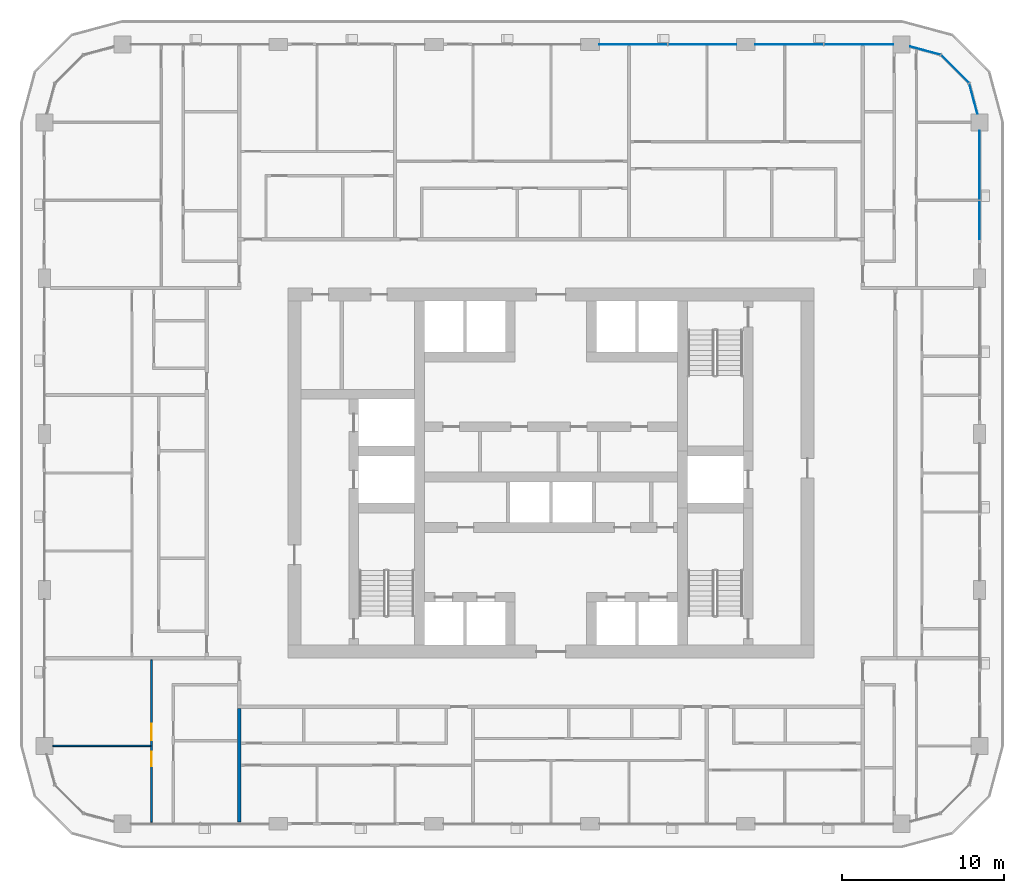
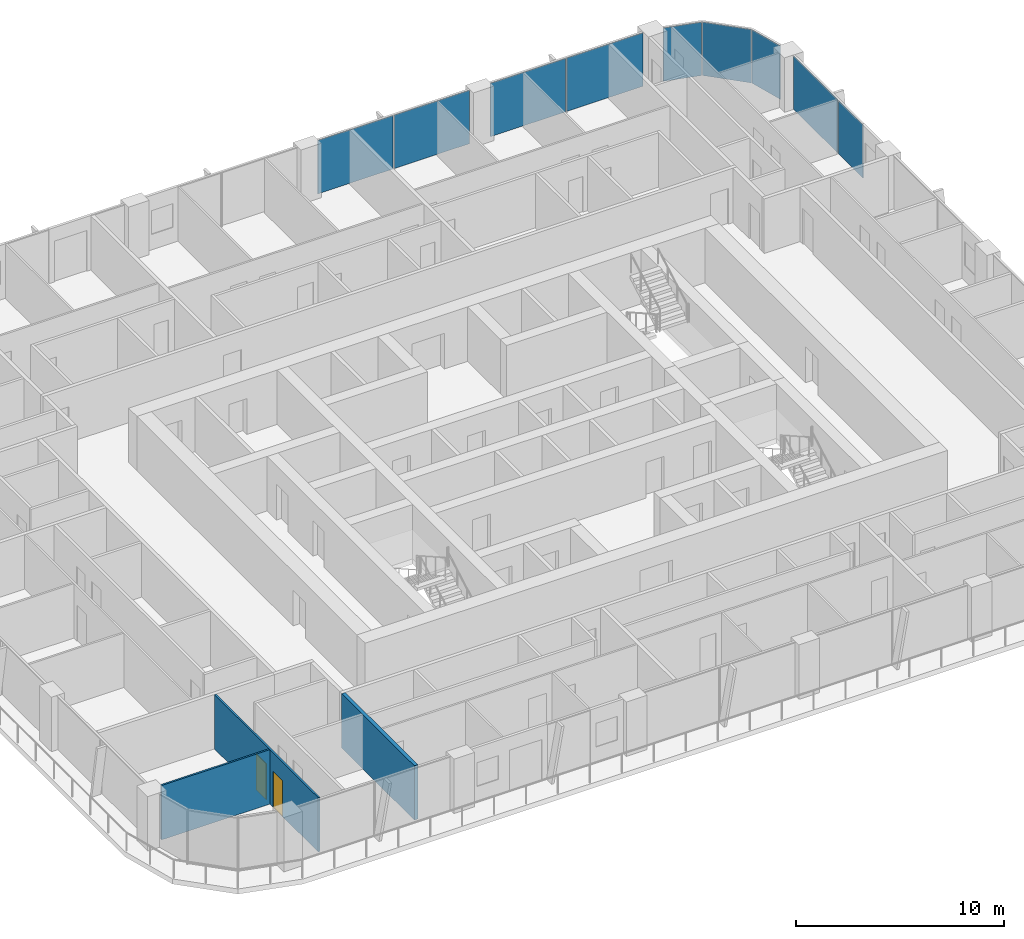
# One storey, part 8 of 22: 9 plates, 3 walls, 2 doors, 2 openings, 4 elements without a shape of their own.
"""IFC4 building model written with IfcOpenShell, lengths in metres."""

from ifc_helpers import new_model, si_unit, direction, frame, frame_2d, origin, origin_2d, place, context, subcontext, project, spatial, rectangle, extrude, material, layer, layer_set, type_object, element, fill, aggregate, save


model = new_model("IFC4")

# Units and contexts
model_context = context("Model", 3, precision=1e-05, world=origin(), true_north=direction((0.0, 1.0)))
body_context = subcontext(model_context, "Body", "Model", "MODEL_VIEW")
ifc_project = project(units=[si_unit("LENGTHUNIT", "METRE"), si_unit("AREAUNIT", "SQUARE_METRE"), si_unit("VOLUMEUNIT", "CUBIC_METRE"), si_unit("PLANEANGLEUNIT", "RADIAN"), si_unit("MASSUNIT", "GRAM", prefix="KILO")], contexts=[model_context])

# Site, building, storey
site_placement = place(None, origin())
site = spatial("IfcSite", under=ifc_project, at=site_placement, CompositionType="ELEMENT")
building_placement = place(site_placement, origin())
building = spatial("IfcBuilding", under=site, at=building_placement, Name="Madar Terraces", CompositionType="ELEMENT")
storey_placement = place(building_placement, frame((0.0, 0.0, 136.60009765625)))
storey = spatial("IfcBuildingStorey", under=building, at=storey_placement, Name="L35", CompositionType="ELEMENT", Elevation=136.60009765625)

# Curtain wall, plates
ifc_material_1 = material(Name="Glass, ceramic frit dark grey, with black aluminium frame", Category="aluminium")
ifc_layer_1 = layer(ifc_material_1, 0.199951171875)
ifc_layer_set_1 = layer_set([ifc_layer_1], Name="Facade curtain wall, fritted glass")
curtain_wall_type = type_object("IfcCurtainWallType", Name="Facade curtain wall, fritted glass", PredefinedType="NOTDEFINED", material=ifc_layer_set_1)
curtain_wall_1_placement = place(storey_placement, origin())
curtain_wall_1 = element("IfcCurtainWall", 1, at=curtain_wall_1_placement, inside=storey, type_object=curtain_wall_type, Name="Outer skin curtain wall east bay 4", PredefinedType="NOTDEFINED")
ifc_material_2 = material(Name="Glass, ceramic frit dark grey", Category="glass")
ifc_layer_2 = layer(ifc_material_2, 0.028076171875)
ifc_layer_set_2 = layer_set([ifc_layer_2], Name="Facade glass panel 28")
plate_type = type_object("IfcPlateType", Name="Facade glass panel 28", PredefinedType="CURTAIN_PANEL", material=ifc_layer_set_2)
plate_1_placement = place(storey_placement, frame((57.60009765625, 41.985107421875, 0.0), z_axis=(0.0, 0.0, 1.0), x_axis=(0.0, 1.0, 0.0)))
plate_1 = element("IfcPlate", 2, at=plate_1_placement, type_object=plate_type, Name="Panel 1", PredefinedType="CURTAIN_PANEL", context=body_context, shape_type="SweptSolid", body=[
    extrude(rectangle(XDim=2.3701171875, YDim=0.028076171875, at=origin_2d()), origin(), (0.0, 0.0, 1.0), 3.139892578125),
])
plate_2_placement = place(storey_placement, frame((57.60009765625, 45.3525390625, 0.0), z_axis=(0.0, 0.0, 1.0), x_axis=(0.0, 1.0, 0.0)))
plate_2 = element("IfcPlate", 3, at=plate_2_placement, type_object=plate_type, Name="Panel 2", PredefinedType="CURTAIN_PANEL", context=body_context, shape_type="SweptSolid", body=[
    extrude(rectangle(XDim=4.2451171875, YDim=0.028076171875, at=origin_2d()), origin(), (0.0, 0.0, 1.0), 3.139892578125),
])
aggregate(curtain_wall_1, [plate_1, plate_2])

curtain_wall_2_placement = place(storey_placement, origin())
curtain_wall_2 = element("IfcCurtainWall", 4, at=curtain_wall_2_placement, inside=storey, type_object=curtain_wall_type, Name="Outer skin curtain wall north bay 1", PredefinedType="NOTDEFINED")
plate_3_placement = place(storey_placement, frame((50.152587890625, 52.800048828125, 0.0), z_axis=(0.0, 0.0, 1.0), x_axis=(-1.0, 0.0, 0.0)))
plate_3 = element("IfcPlate", 5, at=plate_3_placement, type_object=plate_type, Name="Panel 1", PredefinedType="CURTAIN_PANEL", context=body_context, shape_type="SweptSolid", body=[
    extrude(rectangle(XDim=4.2451171875, YDim=0.028076171875, at=origin_2d()), origin(), (0.0, 0.0, 1.0), 3.139892578125),
])
plate_4_placement = place(storey_placement, frame((45.87255859375, 52.800048828125, 0.0), z_axis=(0.0, 0.0, 1.0), x_axis=(-1.0, 0.0, 0.0)))
plate_4 = element("IfcPlate", 6, at=plate_4_placement, type_object=plate_type, Name="Panel 2", PredefinedType="CURTAIN_PANEL", context=body_context, shape_type="SweptSolid", body=[
    extrude(rectangle(XDim=4.195068359375, YDim=0.028076171875, at=origin_2d()), origin(), (0.0, 0.0, 1.0), 3.139892578125),
])
aggregate(curtain_wall_2, [plate_3, plate_4])

curtain_wall_3_placement = place(storey_placement, origin())
curtain_wall_3 = element("IfcCurtainWall", 7, at=curtain_wall_3_placement, inside=storey, type_object=curtain_wall_type, Name="Outer skin curtain wall north bay 2", PredefinedType="NOTDEFINED")
plate_5_placement = place(storey_placement, frame((40.527587890625, 52.800048828125, 0.0), z_axis=(0.0, 0.0, 1.0), x_axis=(-1.0, 0.0, 0.0)))
plate_5 = element("IfcPlate", 8, at=plate_5_placement, type_object=plate_type, Name="Panel 1", PredefinedType="CURTAIN_PANEL", context=body_context, shape_type="SweptSolid", body=[
    extrude(rectangle(XDim=4.195068359375, YDim=0.028076171875, at=origin_2d()), origin(), (0.0, 0.0, 1.0), 3.139892578125),
])
plate_6_placement = place(storey_placement, frame((36.2724609375, 52.800048828125, 0.0), z_axis=(0.0, 0.0, 1.0), x_axis=(-1.0, 0.0, 0.0)))
plate_6 = element("IfcPlate", 9, at=plate_6_placement, type_object=plate_type, Name="Panel 2", PredefinedType="CURTAIN_PANEL", context=body_context, shape_type="SweptSolid", body=[
    extrude(rectangle(XDim=4.195068359375, YDim=0.028076171875, at=origin_2d()), origin(), (0.0, 0.0, 1.0), 3.139892578125),
])
aggregate(curtain_wall_3, [plate_5, plate_6])

curtain_wall_4_placement = place(storey_placement, origin())
curtain_wall_4 = element("IfcCurtainWall", 10, at=curtain_wall_4_placement, inside=storey, type_object=curtain_wall_type, Name="Outer skin curtain wall north-east corner", PredefinedType="NOTDEFINED")
plate_7_placement = place(storey_placement, frame((57.2119140625, 49.447998046875, 0.0), z_axis=(0.0, 0.0, 1.0), x_axis=(-0.258819021888, 0.965925832509, 0.0)))
plate_7 = element("IfcPlate", 11, at=plate_7_placement, type_object=plate_type, Name="Panel 1", PredefinedType="CURTAIN_PANEL", context=body_context, shape_type="SweptSolid", body=[
    extrude(rectangle(XDim=1.9111328125, YDim=0.028076171875, at=origin_2d()), origin(), (0.0, 0.0, 1.0), 3.139892578125),
])
plate_8_placement = place(storey_placement, frame((56.078369140625, 51.278564453125, 0.0), z_axis=(0.0, 0.0, 1.0), x_axis=(-0.707106781187, 0.707106781187, 0.0)))
plate_8 = element("IfcPlate", 12, at=plate_8_placement, type_object=plate_type, Name="Panel 2", PredefinedType="CURTAIN_PANEL", context=body_context, shape_type="SweptSolid", body=[
    extrude(rectangle(XDim=2.424560546875, YDim=0.028076171875, at=origin_2d()), origin(), (0.0, 0.0, 1.0), 3.139892578125),
])
plate_9_placement = place(storey_placement, frame((54.248046875, 52.412109375, 0.0), z_axis=(0.0, 0.0, 1.0), x_axis=(-0.965925832509, 0.258819021888, 0.0)))
plate_9 = element("IfcPlate", 13, at=plate_9_placement, type_object=plate_type, Name="Panel 3", PredefinedType="CURTAIN_PANEL", context=body_context, shape_type="SweptSolid", body=[
    extrude(rectangle(XDim=1.9111328125, YDim=0.028076171875, at=origin_2d()), origin(), (0.0, 0.0, 1.0), 3.139892578125),
])
aggregate(curtain_wall_4, [plate_7, plate_8, plate_9])

# Wall
ifc_material_3 = material(Name="Gypsum board on steel studs", Category="steel")
ifc_layer_3 = layer(ifc_material_3, 0.10009765625)
ifc_layer_set_3 = layer_set([ifc_layer_3], Name="Flat partition 100")
wall_type_1 = type_object("IfcWallType", Name="Flat partition 100", PredefinedType="PARTITIONING", material=ifc_layer_set_3)
wall_1_placement = place(storey_placement, frame((6.550048828125, 9.60009765625, 0.0), z_axis=(0.0, 0.0, 1.0), x_axis=(-1.0, 0.0, 0.0)))
element("IfcWall", 14, at=wall_1_placement, inside=storey, type_object=wall_type_1, Name="Flat partition 100", PredefinedType="PARTITIONING", context=body_context, shape_type="SweptSolid", body=[
    extrude(rectangle(XDim=6.025146484375, YDim=0.10009765625, at=frame_2d((3.0126953125, 0.0))), origin(), (0.0, 0.0, 1.0), 3.199951171875),
])

# Wall, openings, doors
wall_2_placement = place(storey_placement, frame((6.60009765625, 4.89990234375, 0.0), z_axis=(0.0, 0.0, 1.0), x_axis=(0.0, 1.0, 0.0)))
wall_2 = element("IfcWall", 15, at=wall_2_placement, inside=storey, type_object=wall_type_1, Name="Flat partition 100", PredefinedType="PARTITIONING", context=body_context, shape_type="SweptSolid", body=[
    extrude(rectangle(XDim=10.0, YDim=0.10009765625, at=frame_2d((5.0, 0.0))), origin(), (0.0, 0.0, 1.0), 3.199951171875),
])
opening_1_placement = place(wall_2_placement, frame((5.050048828125, 0.0, 0.0)))
opening_1 = element("IfcOpeningElement", 16, at=opening_1_placement, cuts=wall_2, Name="Opening D3", PredefinedType="OPENING", context=body_context, shape_type="SweptSolid", body=[
    extrude(rectangle(XDim=1.0, YDim=2.10009765625, at=frame_2d((0.5, 1.050048828125))), frame((0.0, 0.06005859375, 0.0), z_axis=(0.0, -1.0, 0.0), x_axis=(1.0, 0.0, 0.0)), (0.0, 0.0, 1.0), 0.1201171875),
])
opening_2_placement = place(wall_2_placement, frame((3.449951171875, 0.0, 0.0)))
opening_2 = element("IfcOpeningElement", 17, at=opening_2_placement, cuts=wall_2, Name="Opening D2", PredefinedType="OPENING", context=body_context, shape_type="SweptSolid", body=[
    extrude(rectangle(XDim=0.89990234375, YDim=2.10009765625, at=frame_2d((0.449951171875, 1.050048828125))), frame((0.0, 0.06005859375, 0.0), z_axis=(0.0, -1.0, 0.0), x_axis=(1.0, 0.0, 0.0)), (0.0, 0.0, 1.0), 0.1201171875),
])
ifc_material_4 = material(Name="Timber door leaf", Category="wood")
door_type_1 = type_object("IfcDoorType", Name="Flat living room door 1000", OperationType="NOTDEFINED", PredefinedType="DOOR", material=ifc_material_4)
door_1_placement = place(opening_1_placement, origin())
door_1 = element("IfcDoor", 18, at=door_1_placement, inside=storey, type_object=door_type_1, Name="Flat living room door 1000", OperationType="SINGLE_SWING_LEFT", OverallHeight=2.10009765625, OverallWidth=1.0, PredefinedType="DOOR", context=body_context, shape_type="SweptSolid", body=[
    extrude(rectangle(XDim=1.0, YDim=2.10009765625, at=frame_2d((0.5, 1.050048828125))), frame((0.0, 0.02490234375, 0.0), z_axis=(0.0, -1.0, 0.0), x_axis=(1.0, 0.0, 0.0)), (0.0, 0.0, 1.0), 0.050048828125),
])
fill(opening_1, door_1)
ifc_material_5 = material(Name="Timber door leaf", Category="wood")
door_type_2 = type_object("IfcDoorType", Name="Flat room door 900", OperationType="NOTDEFINED", PredefinedType="DOOR", material=ifc_material_5)
door_2_placement = place(opening_2_placement, origin())
door_2 = element("IfcDoor", 19, at=door_2_placement, inside=storey, type_object=door_type_2, Name="Flat room door 900", OperationType="SINGLE_SWING_RIGHT", OverallHeight=2.10009765625, OverallWidth=0.89990234375, PredefinedType="DOOR", context=body_context, shape_type="SweptSolid", body=[
    extrude(rectangle(XDim=0.89990234375, YDim=2.10009765625, at=frame_2d((0.449951171875, 1.050048828125))), frame((0.0, 0.02490234375, 0.0), z_axis=(0.0, -1.0, 0.0), x_axis=(1.0, 0.0, 0.0)), (0.0, 0.0, 1.0), 0.050048828125),
])
fill(opening_2, door_2)

# Wall
ifc_material_6 = material(Name="Lightweight blockwork", Category="masonry")
ifc_layer_4 = layer(ifc_material_6, 0.199951171875)
ifc_layer_set_4 = layer_set([ifc_layer_4], Name="Flat party and entrance wall 200")
wall_type_2 = type_object("IfcWallType", Name="Flat party and entrance wall 200", PredefinedType="PARTITIONING", material=ifc_layer_set_4)
wall_3_placement = place(storey_placement, frame((12.0, 4.89990234375, 0.0), z_axis=(0.0, 0.0, 1.0), x_axis=(0.0, 1.0, 0.0)))
element("IfcWall", 20, at=wall_3_placement, inside=storey, type_object=wall_type_2, Name="Flat party and entrance wall 200", PredefinedType="PARTITIONING", context=body_context, shape_type="SweptSolid", body=[
    extrude(rectangle(XDim=7.0, YDim=0.199951171875, at=frame_2d((3.5, 0.0))), origin(), (0.0, 0.0, 1.0), 3.199951171875),
])

save(model, "model.ifc")
